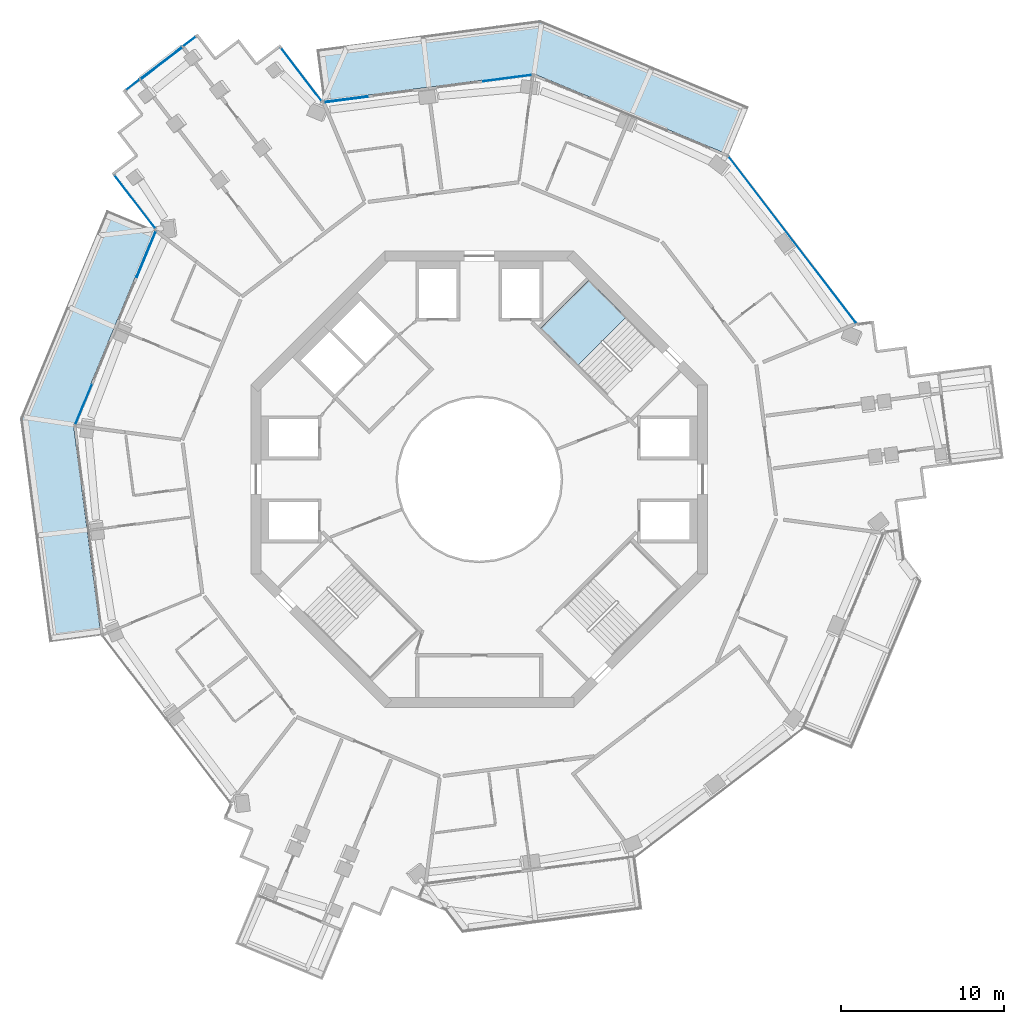
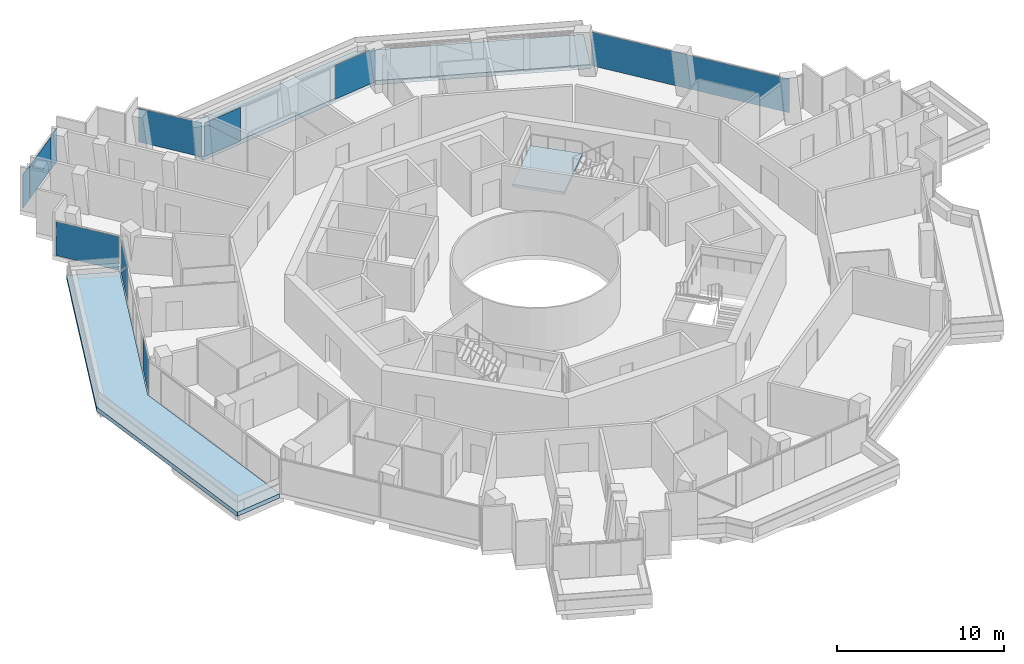
# One storey, part 15 of 25: 13 plates, 3 slabs, 7 elements without a shape of their own.
"""IFC4 building model written with IfcOpenShell, lengths in metres."""

from ifc_helpers import new_model, si_unit, direction, frame, origin, origin_2d, place, context, subcontext, project, spatial, polyline, rectangle, outline, extrude, material, layer, layer_set, type_object, element, aggregate, save


model = new_model("IFC4")

# Units and contexts
model_context = context("Model", 3, precision=1e-05, world=origin(), true_north=direction((0.0, 1.0)))
body_context = subcontext(model_context, "Body", "Model", "MODEL_VIEW")
ifc_project = project(units=[si_unit("LENGTHUNIT", "METRE"), si_unit("AREAUNIT", "SQUARE_METRE"), si_unit("VOLUMEUNIT", "CUBIC_METRE"), si_unit("PLANEANGLEUNIT", "RADIAN"), si_unit("MASSUNIT", "GRAM", prefix="KILO")], contexts=[model_context])

# Site, building, storey
site_placement = place(None, origin())
site = spatial("IfcSite", under=ifc_project, at=site_placement, CompositionType="ELEMENT")
building_placement = place(site_placement, origin())
building = spatial("IfcBuilding", under=site, at=building_placement, Name="Verdalira Terraces Hotel", CompositionType="ELEMENT")
storey_placement = place(building_placement, frame((0.0, 0.0, 187.0)))
storey = spatial("IfcBuildingStorey", under=building, at=storey_placement, Name="L45", CompositionType="ELEMENT", Elevation=187.0)

# Slabs
ifc_material_1 = material(Name="Precast concrete C40/50", Category="concrete")
ifc_layer_1 = layer(ifc_material_1, 0.31005859375)
ifc_layer_set_1 = layer_set([ifc_layer_1], Name="Balcony deck 310")
slab_type_1 = type_object("IfcSlabType", Name="Balcony deck 310", PredefinedType="FLOOR", material=ifc_layer_set_1)
slab_1_placement = place(storey_placement, frame((0.0, 0.0, -0.310059)))
element("IfcSlab", 1, at=slab_1_placement, inside=storey, type_object=slab_type_1, Name="Balcony deck", PredefinedType="FLOOR", context=body_context, shape_type="SweptSolid", body=[
    extrude(outline(polyline([(-28.179932, 3.73999), (-26.385498, -10.000732), (-23.212402, -9.586426), (-24.895752, 3.304199), (-19.908203, 15.309326), (-22.863525, 16.537109), (-28.179932, 3.73999)])), origin(), (0.0, 0.0, 1.0), 0.310059),
])
slab_2_placement = place(storey_placement, frame((0.0, 0.0, -0.310059)))
element("IfcSlab", 2, at=slab_2_placement, inside=storey, type_object=slab_type_1, Name="Balcony deck", PredefinedType="FLOOR", context=body_context, shape_type="SweptSolid", body=[
    extrude(outline(polyline([(-10.000732, 26.385498), (-9.586426, 23.212402), (3.304199, 24.895752), (15.309326, 19.908203), (16.537109, 22.863525), (3.73999, 28.179932), (-10.000732, 26.385498)])), origin(), (0.0, 0.0, 1.0), 0.310059),
])

# Curtain wall, plates
ifc_material_2 = material(Name="Clear glass", Category="glass")
ifc_layer_2 = layer(ifc_material_2, 0.14990234375)
ifc_layer_set_2 = layer_set([ifc_layer_2], Name="CW1 curtain wall")
curtain_wall_type_1 = type_object("IfcCurtainWallType", Name="CW1 curtain wall", PredefinedType="NOTDEFINED", material=ifc_layer_set_2)
curtain_wall_1_placement = place(storey_placement, origin())
curtain_wall_1 = element("IfcCurtainWall", 3, at=curtain_wall_1_placement, inside=storey, type_object=curtain_wall_type_1, Name="CW1 curtain wall L45 edge 11", PredefinedType="NOTDEFINED")
ifc_material_3 = material(Name="Clear glass", Category="glass")
ifc_layer_3 = layer(ifc_material_3, 0.028076171875)
ifc_layer_set_3 = layer_set([ifc_layer_3], Name="CW1 glass unit 28")
plate_type_1 = type_object("IfcPlateType", Name="CW1 glass unit 28", PredefinedType="CURTAIN_PANEL", material=ifc_layer_set_3)
plate_1_placement = place(storey_placement, frame((-20.432373, 13.816162, 1.237549), z_axis=(-0.923478281, 0.383650707, 0.0), x_axis=(-0.383650707, -0.923478281, 0.0)))
plate_1 = element("IfcPlate", 4, at=plate_1_placement, type_object=plate_type_1, Name="CW1 glass unit", PredefinedType="CURTAIN_PANEL", context=body_context, shape_type="SweptSolid", body=[
    extrude(outline(polyline([(-1.52002, -1.237549), (1.52002, -1.237549), (1.52002, 1.237549), (-1.52002, -1.237549)])), origin(), (0.0, 0.0, 1.0), 0.028076),
])
plate_2_placement = place(storey_placement, frame((-20.405518, 13.804932, 1.237549), z_axis=(-0.923478281, 0.383650707, 0.0), x_axis=(-0.383650707, -0.923478281, 0.0)))
plate_2 = element("IfcPlate", 5, at=plate_2_placement, type_object=plate_type_1, Name="CW1 glass unit", PredefinedType="CURTAIN_PANEL", context=body_context, shape_type="SweptSolid", body=[
    extrude(outline(polyline([(-1.52002, -1.237549), (1.52002, 1.237549), (-1.52002, 1.237549), (-1.52002, -1.237549)])), origin(), (0.0, 0.0, 1.0), 0.028076),
])
plate_3_placement = place(storey_placement, frame((-24.281982, 4.586182, 0.0), z_axis=(0.0, 0.0, 1.0), x_axis=(-0.383650707, -0.923478281, 0.0)))
plate_3 = element("IfcPlate", 6, at=plate_3_placement, type_object=plate_type_1, Name="CW1 glass unit", PredefinedType="CURTAIN_PANEL", context=body_context, shape_type="SweptSolid", body=[
    extrude(rectangle(XDim=2.638428, YDim=0.028076, at=origin_2d()), origin(), (0.0, 0.0, 1.0), 2.475098),
])
aggregate(curtain_wall_1, [plate_1, plate_2, plate_3])

# Curtain wall, plate
curtain_wall_2_placement = place(storey_placement, origin())
curtain_wall_2 = element("IfcCurtainWall", 7, at=curtain_wall_2_placement, inside=storey, type_object=curtain_wall_type_1, Name="CW1 curtain wall L45 edge 39", PredefinedType="NOTDEFINED")
plate_4_placement = place(storey_placement, frame((19.213623, 14.685791, 0.0), z_axis=(0.0, 0.0, 1.0), x_axis=(-0.607930298, 0.793990399, 0.0)))
plate_4 = element("IfcPlate", 8, at=plate_4_placement, type_object=plate_type_1, Name="CW1 glass unit", PredefinedType="CURTAIN_PANEL", context=body_context, shape_type="SweptSolid", body=[
    extrude(rectangle(XDim=12.839844, YDim=0.028076, at=origin_2d()), origin(), (0.0, 0.0, 1.0), 2.475098),
])
aggregate(curtain_wall_2, [plate_4])

# Curtain wall, plates
curtain_wall_3_placement = place(storey_placement, origin())
curtain_wall_3 = element("IfcCurtainWall", 9, at=curtain_wall_3_placement, inside=storey, type_object=curtain_wall_type_1, Name="CW1 curtain wall L45 edge 41", PredefinedType="NOTDEFINED")
plate_5_placement = place(storey_placement, frame((1.727295, 24.614258, 0.0), z_axis=(0.0, 0.0, 1.0), x_axis=(-0.991581004, -0.129487882, 0.0)))
plate_5 = element("IfcPlate", 10, at=plate_5_placement, type_object=plate_type_1, Name="CW1 glass unit", PredefinedType="CURTAIN_PANEL", context=body_context, shape_type="SweptSolid", body=[
    extrude(rectangle(XDim=2.999756, YDim=0.028076, at=origin_2d()), origin(), (0.0, 0.0, 1.0), 2.475098),
])
plate_6_placement = place(storey_placement, frame((-8.1875, 23.30542, 1.237549), z_axis=(-0.129487882, 0.991581004, 0.0), x_axis=(-0.991581004, -0.129487882, 0.0)))
plate_6 = element("IfcPlate", 11, at=plate_6_placement, type_object=plate_type_1, Name="CW1 glass unit", PredefinedType="CURTAIN_PANEL", context=body_context, shape_type="SweptSolid", body=[
    extrude(outline(polyline([(-1.339355, -1.237549), (1.339355, -1.237549), (1.339355, 1.237549), (-1.339355, -1.237549)])), origin(), (0.0, 0.0, 1.0), 0.028076),
])
plate_7_placement = place(storey_placement, frame((-8.183594, 23.276611, 1.237549), z_axis=(-0.129487882, 0.991581004, 0.0), x_axis=(-0.991581004, -0.129487882, 0.0)))
plate_7 = element("IfcPlate", 12, at=plate_7_placement, type_object=plate_type_1, Name="CW1 glass unit", PredefinedType="CURTAIN_PANEL", context=body_context, shape_type="SweptSolid", body=[
    extrude(outline(polyline([(-1.339355, -1.237549), (1.339355, 1.237549), (-1.339355, 1.237549), (-1.339355, -1.237549)])), origin(), (0.0, 0.0, 1.0), 0.028076),
])
aggregate(curtain_wall_3, [plate_5, plate_6, plate_7])

# Curtain wall, plate
ifc_material_4 = material(Name="Clear glass", Category="glass")
ifc_layer_4 = layer(ifc_material_4, 0.14990234375)
ifc_layer_set_4 = layer_set([ifc_layer_4], Name="CW2 curtain wall")
curtain_wall_type_2 = type_object("IfcCurtainWallType", Name="CW2 curtain wall", PredefinedType="NOTDEFINED", material=ifc_layer_set_4)
curtain_wall_4_placement = place(storey_placement, origin())
curtain_wall_4 = element("IfcCurtainWall", 13, at=curtain_wall_4_placement, inside=storey, type_object=curtain_wall_type_2, Name="CW2 curtain wall L45 edge 0", PredefinedType="NOTDEFINED")
ifc_material_5 = material(Name="Clear glass", Category="glass")
ifc_layer_5 = layer(ifc_material_5, 0.031982421875)
ifc_layer_set_5 = layer_set([ifc_layer_5], Name="CW2 glass unit 32")
plate_type_2 = type_object("IfcPlateType", Name="CW2 glass unit 32", PredefinedType="CURTAIN_PANEL", material=ifc_layer_set_5)
plate_8_placement = place(storey_placement, frame((-10.925049, 24.837402, 0.0), z_axis=(0.0, 0.0, 1.0), x_axis=(-0.607930298, 0.793990399, 0.0)))
plate_8 = element("IfcPlate", 14, at=plate_8_placement, type_object=plate_type_2, Name="CW2 glass unit", PredefinedType="CURTAIN_PANEL", context=body_context, shape_type="SweptSolid", body=[
    extrude(rectangle(XDim=4.067871, YDim=0.031982, at=origin_2d()), origin(), (0.0, 0.0, 1.0), 2.475098),
])
aggregate(curtain_wall_4, [plate_8])

curtain_wall_5_placement = place(storey_placement, origin())
curtain_wall_5 = element("IfcCurtainWall", 15, at=curtain_wall_5_placement, inside=storey, type_object=curtain_wall_type_2, Name="CW2 curtain wall L45 edge 10", PredefinedType="NOTDEFINED")
plate_9_placement = place(storey_placement, frame((-21.12793, 17.025391, 0.0), z_axis=(0.0, 0.0, 1.0), x_axis=(0.607930298, -0.793990399, 0.0)))
plate_9 = element("IfcPlate", 16, at=plate_9_placement, type_object=plate_type_2, Name="CW2 glass unit", PredefinedType="CURTAIN_PANEL", context=body_context, shape_type="SweptSolid", body=[
    extrude(rectangle(XDim=4.067871, YDim=0.031982, at=origin_2d()), origin(), (0.0, 0.0, 1.0), 2.475098),
])
aggregate(curtain_wall_5, [plate_9])

# Curtain wall, plates
ifc_material_6 = material(Name="Clear glass", Category="glass")
ifc_layer_6 = layer(ifc_material_6, 0.14990234375)
ifc_layer_set_6 = layer_set([ifc_layer_6], Name="CW3 curtain wall")
curtain_wall_type_3 = type_object("IfcCurtainWallType", Name="CW3 curtain wall", PredefinedType="NOTDEFINED", material=ifc_layer_set_6)
curtain_wall_6_placement = place(storey_placement, origin())
curtain_wall_6 = element("IfcCurtainWall", 17, at=curtain_wall_6_placement, inside=storey, type_object=curtain_wall_type_3, Name="CW3 curtain wall L45 edge 5", PredefinedType="NOTDEFINED")
ifc_material_7 = material(Name="Clear glass", Category="glass")
ifc_layer_7 = layer(ifc_material_7, 0.035888671875)
ifc_layer_set_7 = layer_set([ifc_layer_7], Name="CW3 glass unit 36")
plate_type_3 = type_object("IfcPlateType", Name="CW3 glass unit 36", PredefinedType="CURTAIN_PANEL", material=ifc_layer_set_7)
plate_10_placement = place(storey_placement, frame((-17.795166, 26.855469, 0.0), z_axis=(0.0, 0.0, 1.0), x_axis=(-0.793990399, -0.607930298, 0.0)))
plate_10 = element("IfcPlate", 18, at=plate_10_placement, type_object=plate_type_3, Name="CW3 glass unit", PredefinedType="CURTAIN_PANEL", context=body_context, shape_type="SweptSolid", body=[
    extrude(rectangle(XDim=0.945801, YDim=0.035889, at=origin_2d()), origin(), (0.0, 0.0, 1.0), 2.475098),
])
plate_11_placement = place(storey_placement, frame((-19.496094, 25.530518, 1.237549), z_axis=(-0.607930298, 0.793990399, 0.0), x_axis=(-0.793990399, -0.607930298, 0.0)))
plate_11 = element("IfcPlate", 19, at=plate_11_placement, type_object=plate_type_3, Name="CW3 glass unit", PredefinedType="CURTAIN_PANEL", context=body_context, shape_type="SweptSolid", body=[
    extrude(outline(polyline([(-1.603271, -1.237549), (1.603271, -1.237549), (1.603271, 1.237549), (-1.603271, -1.237549)])), origin(), (0.0, 0.0, 1.0), 0.035889),
])
plate_12_placement = place(storey_placement, frame((-19.473633, 25.500977, 1.237549), z_axis=(-0.607930298, 0.793990399, 0.0), x_axis=(-0.793990399, -0.607930298, 0.0)))
plate_12 = element("IfcPlate", 20, at=plate_12_placement, type_object=plate_type_3, Name="CW3 glass unit", PredefinedType="CURTAIN_PANEL", context=body_context, shape_type="SweptSolid", body=[
    extrude(outline(polyline([(-1.603271, -1.237549), (1.603271, 1.237549), (-1.603271, 1.237549), (-1.603271, -1.237549)])), origin(), (0.0, 0.0, 1.0), 0.035889),
])
plate_13_placement = place(storey_placement, frame((-21.251709, 24.208984, 0.0), z_axis=(0.0, 0.0, 1.0), x_axis=(-0.793990399, -0.607930298, 0.0)))
plate_13 = element("IfcPlate", 21, at=plate_13_placement, type_object=plate_type_3, Name="CW3 glass unit", PredefinedType="CURTAIN_PANEL", context=body_context, shape_type="SweptSolid", body=[
    extrude(rectangle(XDim=1.027588, YDim=0.035889, at=origin_2d()), origin(), (0.0, 0.0, 1.0), 2.475098),
])
aggregate(curtain_wall_6, [plate_10, plate_11, plate_12, plate_13])

# Stair, slab
ifc_material_8 = material(Name="Concrete C40", Category="concrete")
stair_type = type_object("IfcStairType", Name="Core stair 20 risers 2050 mm wide", PredefinedType="HALF_TURN_STAIR", material=ifc_material_8)
stair_placement = place(storey_placement, origin())
stair = element("IfcStair", 22, at=stair_placement, inside=storey, type_object=stair_type, Name="L45 Exit stair ST1", PredefinedType="HALF_TURN_STAIR")
ifc_material_9 = material(Name="Concrete C40", Category="concrete")
ifc_layer_8 = layer(ifc_material_9, 0.199951171875)
ifc_layer_set_8 = layer_set([ifc_layer_8], Name="Core stair landing 200 mm")
slab_type_2 = type_object("IfcSlabType", Name="Core stair landing 200 mm", PredefinedType="LANDING", material=ifc_layer_set_8)
slab_3_placement = place(storey_placement, frame((0.0, 0.0, 1.550049)))
slab_3 = element("IfcSlab", 23, at=slab_3_placement, type_object=slab_type_2, Name="ST1 landing 1", PredefinedType="LANDING", context=body_context, shape_type="SweptSolid", body=[
    extrude(outline(polyline([(9.001709, 9.94873), (6.717529, 12.23291), (3.747559, 9.263184), (6.031982, 6.97876), (9.001709, 9.94873)])), origin(), (0.0, 0.0, 1.0), 0.199951),
])
aggregate(stair, [slab_3])

save(model, "model.ifc")
